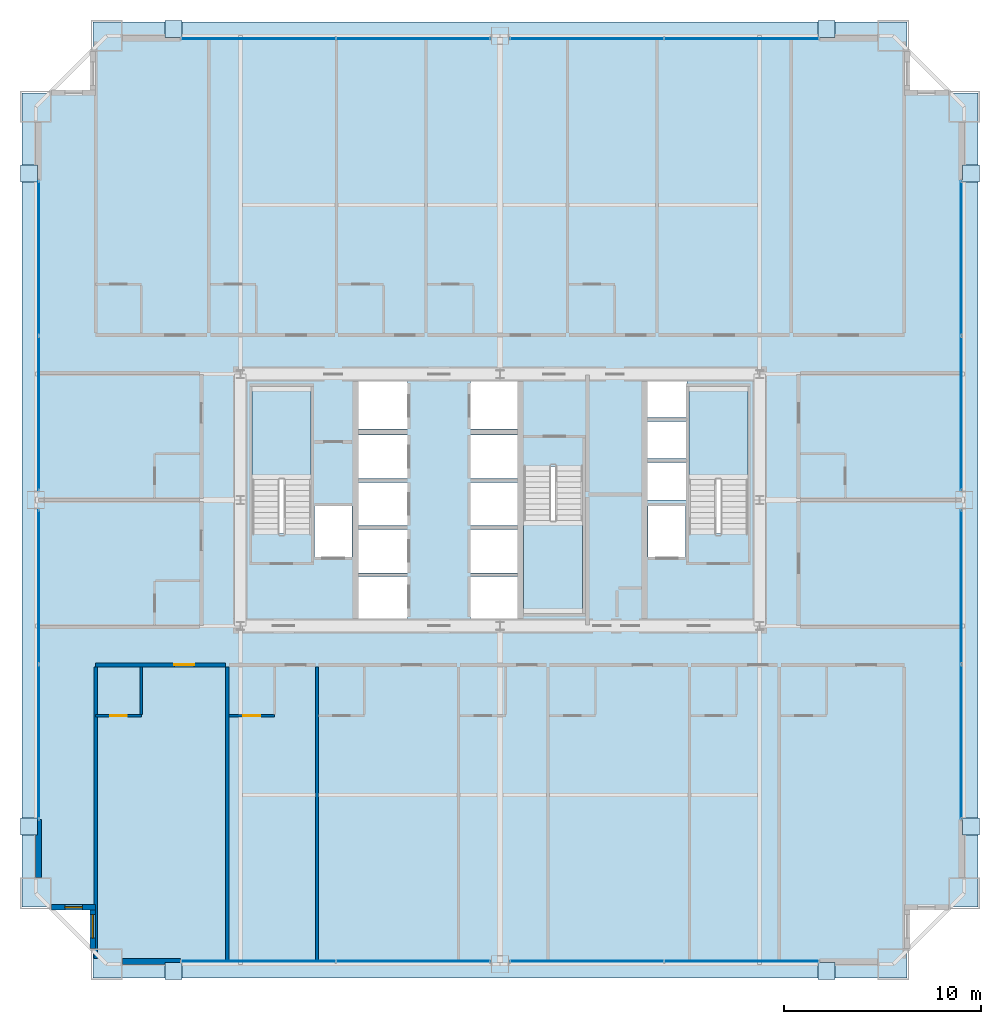
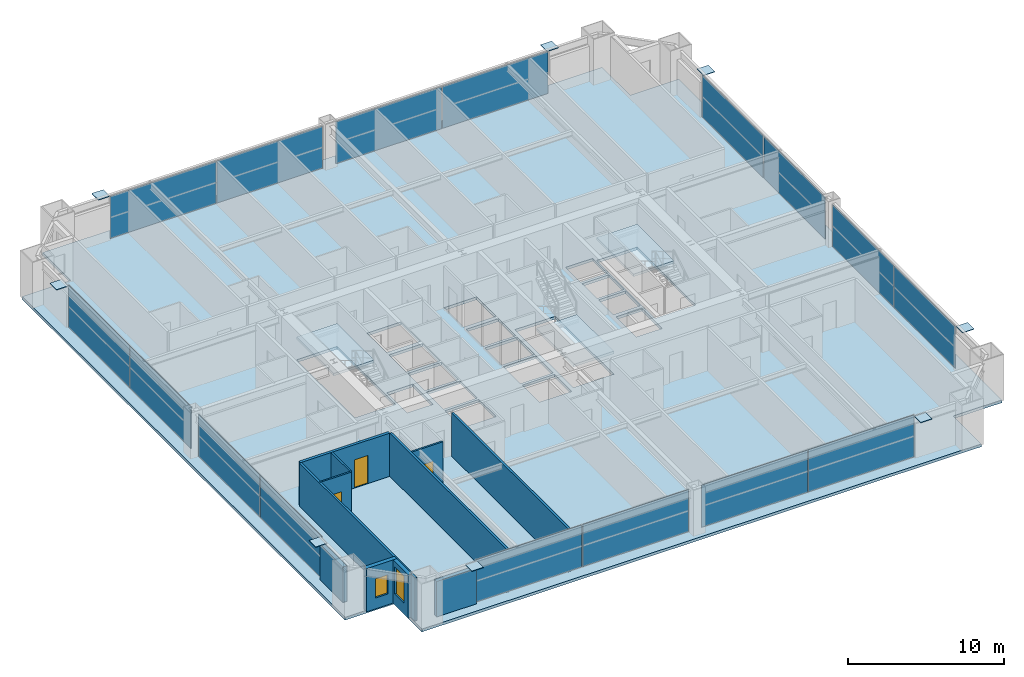
# One storey, part 33 of 38: 24 plates, 11 walls, 4 slabs, 3 doors, 2 windows, 5 openings, 11 elements without a shape of their own.
"""IFC4 building model written with IfcOpenShell, lengths in metres."""

from ifc_helpers import new_model, si_unit, direction, frame, frame_2d, origin, origin_2d, place, context, subcontext, project, spatial, polyline, rectangle, outline, extrude, source, transform, mapped, material, layer, layer_set, type_object, element, fill, aggregate, save


model = new_model("IFC4")

# Units and contexts
model_context = context("Model", 3, precision=1e-05, world=origin(), true_north=direction((0.0, 1.0)))
body_context = subcontext(model_context, "Body", "Model", "MODEL_VIEW")
ifc_project = project(units=[si_unit("LENGTHUNIT", "METRE"), si_unit("AREAUNIT", "SQUARE_METRE"), si_unit("VOLUMEUNIT", "CUBIC_METRE"), si_unit("PLANEANGLEUNIT", "RADIAN"), si_unit("MASSUNIT", "GRAM", prefix="KILO"), si_unit("THERMODYNAMICTEMPERATUREUNIT", "KELVIN"), si_unit("POWERUNIT", "WATT")], contexts=[model_context])

# Site, building, storey
site_placement = place(None, origin())
site = spatial("IfcSite", under=ifc_project, at=site_placement, CompositionType="ELEMENT")
building_placement = place(site_placement, origin())
building = spatial("IfcBuilding", under=site, at=building_placement, Name="Yuzanri Waterfront Tower", CompositionType="ELEMENT")
storey_placement = place(building_placement, frame((0.0, 0.0, 97.39990234375)))
storey = spatial("IfcBuildingStorey", under=building, at=storey_placement, Name="L25", CompositionType="ELEMENT", Elevation=97.39990234375)

# Stair, slab
ifc_material_1 = material(Name="Concrete C40", Category="concrete")
stair_type = type_object("IfcStairType", Name="Concrete C40 Core Dogleg Exit Stair", PredefinedType="HALF_TURN_STAIR", material=ifc_material_1)
stair_1_placement = place(storey_placement, origin())
stair_1 = element("IfcStair", 1, at=stair_1_placement, inside=storey, type_object=stair_type, Name="L25 Smoke-Proof Core Stair ST-01", PredefinedType="HALF_TURN_STAIR")
ifc_material_2 = material(Name="Concrete C40", Category="concrete")
ifc_layer_1 = layer(ifc_material_2, 0.179931640625)
ifc_layer_set_1 = layer_set([ifc_layer_1], Name="Concrete C40")
slab_type_1 = type_object("IfcSlabType", Name="Concrete C40 Stair Half-Landing Slab 180", PredefinedType="LANDING", material=ifc_layer_set_1)
slab_1_placement = place(storey_placement, frame((0.0, 0.0, 1.60009765625)))
slab_1 = element("IfcSlab", 2, at=slab_1_placement, type_object=slab_type_1, Name="ST-01 landing 1", PredefinedType="LANDING", context=body_context, shape_type="SweptSolid", body=[
    extrude(outline(polyline([(27.39990234375, 26.840087890625), (27.39990234375, 31.580078125), (24.39990234375, 31.580078125), (24.39990234375, 26.840087890625), (27.39990234375, 26.840087890625)])), origin(), (0.0, 0.0, 1.0), 0.199951171875),
])
aggregate(stair_1, [slab_1])

stair_2_placement = place(storey_placement, origin())
stair_2 = element("IfcStair", 3, at=stair_2_placement, inside=storey, type_object=stair_type, Name="L25 Smoke-Proof Core Stair ST-02", PredefinedType="HALF_TURN_STAIR")
slab_2_placement = place(storey_placement, frame((0.0, 0.0, 1.60009765625)))
slab_2 = element("IfcSlab", 4, at=slab_2_placement, type_object=slab_type_1, Name="ST-02 landing 1", PredefinedType="LANDING", context=body_context, shape_type="SweptSolid", body=[
    extrude(outline(polyline([(49.60009765625, 26.840087890625), (49.60009765625, 31.580078125), (46.60009765625, 31.580078125), (46.60009765625, 26.840087890625), (49.60009765625, 26.840087890625)])), origin(), (0.0, 0.0, 1.0), 0.199951171875),
])
aggregate(stair_2, [slab_2])

stair_3_placement = place(storey_placement, origin())
stair_3 = element("IfcStair", 5, at=stair_3_placement, inside=storey, type_object=stair_type, Name="L25 Smoke-Proof Core Stair ST-03", PredefinedType="HALF_TURN_STAIR")
slab_3_placement = place(storey_placement, frame((0.0, 0.0, 1.60009765625)))
slab_3 = element("IfcSlab", 6, at=slab_3_placement, type_object=slab_type_1, Name="ST-03 landing 1", PredefinedType="LANDING", context=body_context, shape_type="SweptSolid", body=[
    extrude(outline(polyline([(38.199951171875, 24.760009765625), (38.199951171875, 20.02001953125), (41.199951171875, 20.02001953125), (41.199951171875, 24.760009765625), (38.199951171875, 24.760009765625)])), origin(), (0.0, 0.0, 1.0), 0.199951171875),
])
aggregate(stair_3, [slab_3])

# Slab
ifc_material_3 = material(Name="Concrete C40", Category="concrete")
ifc_layer_2 = layer(ifc_material_3, 0.219970703125)
ifc_layer_set_2 = layer_set([ifc_layer_2], Name="Concrete C40")
slab_type_2 = type_object("IfcSlabType", Name="Concrete C40 Tower Typical Structural Floor Slab 220", PredefinedType="FLOOR", material=ifc_layer_set_2)
slab_4_placement = place(storey_placement, frame((0.0, 0.0, -0.219970703125)))
element("IfcSlab", 7, at=slab_4_placement, inside=storey, type_object=slab_type_2, Name="L25 Main Structural Floor Slab", PredefinedType="FLOOR", context=body_context, shape_type="SweptSolid", body=[
    extrude(outline(polyline([(16.300048828125, 1.5), (57.699951171875, 1.5), (57.699951171875, 5.10009765625), (61.300048828125, 5.10009765625), (61.300048828125, 46.5), (57.699951171875, 46.5), (57.699951171875, 50.10009765625), (16.300048828125, 50.10009765625), (16.300048828125, 46.5), (12.699951171875, 46.5), (12.699951171875, 5.10009765625), (16.300048828125, 5.10009765625), (16.300048828125, 1.5)]), holes=[polyline([(27.39990234375, 24.10009765625), (27.39990234375, 31.580078125), (24.39990234375, 31.580078125), (24.39990234375, 24.10009765625), (27.39990234375, 24.10009765625)]), polyline([(49.60009765625, 24.10009765625), (49.60009765625, 31.580078125), (46.60009765625, 31.580078125), (46.60009765625, 24.10009765625), (49.60009765625, 24.10009765625)]), polyline([(38.199951171875, 27.5), (38.199951171875, 20.02001953125), (41.199951171875, 20.02001953125), (41.199951171875, 27.5), (38.199951171875, 27.5)]), polyline([(27.56005859375, 22.89990234375), (29.47998046875, 22.89990234375), (29.47998046875, 25.5), (27.56005859375, 25.5), (27.56005859375, 22.89990234375)]), polyline([(44.52001953125, 22.89990234375), (46.43994140625, 22.89990234375), (46.43994140625, 25.5), (44.52001953125, 25.5), (44.52001953125, 22.89990234375)]), polyline([(29.800048828125, 19.699951171875), (32.300048828125, 19.699951171875), (32.300048828125, 21.89990234375), (29.800048828125, 21.89990234375), (29.800048828125, 19.699951171875)]), polyline([(29.800048828125, 22.10009765625), (32.300048828125, 22.10009765625), (32.300048828125, 24.300048828125), (29.800048828125, 24.300048828125), (29.800048828125, 22.10009765625)]), polyline([(29.800048828125, 24.5), (32.300048828125, 24.5), (32.300048828125, 26.699951171875), (29.800048828125, 26.699951171875), (29.800048828125, 24.5)]), polyline([(29.800048828125, 26.89990234375), (32.300048828125, 26.89990234375), (32.300048828125, 29.10009765625), (29.800048828125, 29.10009765625), (29.800048828125, 26.89990234375)]), polyline([(29.800048828125, 29.39990234375), (32.300048828125, 29.39990234375), (32.300048828125, 31.89990234375), (29.800048828125, 31.89990234375), (29.800048828125, 29.39990234375)]), polyline([(35.5, 19.699951171875), (37.89990234375, 19.699951171875), (37.89990234375, 21.89990234375), (35.5, 21.89990234375), (35.5, 19.699951171875)]), polyline([(35.5, 22.10009765625), (37.89990234375, 22.10009765625), (37.89990234375, 24.300048828125), (35.5, 24.300048828125), (35.5, 22.10009765625)]), polyline([(35.5, 24.5), (37.89990234375, 24.5), (37.89990234375, 26.699951171875), (35.5, 26.699951171875), (35.5, 24.5)]), polyline([(35.5, 26.89990234375), (37.89990234375, 26.89990234375), (37.89990234375, 29.10009765625), (35.5, 29.10009765625), (35.5, 26.89990234375)]), polyline([(35.5, 29.39990234375), (37.89990234375, 29.39990234375), (37.89990234375, 31.89990234375), (35.5, 31.89990234375), (35.5, 29.39990234375)]), polyline([(44.5, 25.800048828125), (46.5, 25.800048828125), (46.5, 27.699951171875), (44.5, 27.699951171875), (44.5, 25.800048828125)]), polyline([(44.5, 27.89990234375), (46.5, 27.89990234375), (46.5, 29.800048828125), (44.5, 29.800048828125), (44.5, 27.89990234375)]), polyline([(44.5, 30.0), (46.5, 30.0), (46.5, 31.89990234375), (44.5, 31.89990234375), (44.5, 30.0)])]), origin(), (0.0, 0.0, 1.0), 0.219970703125),
])

# Plates
ifc_material_4 = material(Name="Steel Q420GJC", Category="steel")
ifc_layer_3 = layer(ifc_material_4, 0.0400390625)
ifc_layer_set_3 = layer_set([ifc_layer_3], Name="Steel Q420GJC")
plate_type_1 = type_object("IfcPlateType", Name="Steel Q420GJC Mega-Brace Gusset and End-Cap Plate 40", PredefinedType="SHEET", material=ifc_layer_set_3)
shared_shape_1 = source(origin(), body_context, "Body", "SweptSolid", [
    extrude(rectangle(XDim=0.85009765625, YDim=0.85009765625, at=origin_2d()), origin(), (0.0, 0.0, 1.0), 0.0400390625),
])
for number, where, z_axis, x_axis, name in (
    (8, (20.39990234375, 1.860107421875, 3.260009765625), (0.0, 0.0, 1.0), (1.0, 0.0, 0.0), "L25 Mega-Brace Apex Cap Plate S-L"),
    (9, (53.60009765625, 1.860107421875, 3.260009765625), (0.0, 0.0, 1.0), (1.0, 0.0, 0.0), "L25 Mega-Brace Apex Cap Plate S-R"),
    (10, (20.39990234375, 49.739990234375, 3.260009765625), (0.0, 0.0, 1.0), (1.0, 0.0, 0.0), "L25 Mega-Brace Apex Cap Plate N-L"),
    (11, (53.60009765625, 49.739990234375, 3.260009765625), (0.0, 0.0, 1.0), (1.0, 0.0, 0.0), "L25 Mega-Brace Apex Cap Plate N-R"),
    (12, (13.06005859375, 9.199951171875, 3.260009765625), (0.0, 0.0, 1.0), (1.0, 0.0, 0.0), "L25 Mega-Brace Apex Cap Plate W-L"),
    (13, (13.06005859375, 42.39990234375, 3.260009765625), (0.0, 0.0, 1.0), (1.0, 0.0, 0.0), "L25 Mega-Brace Apex Cap Plate W-R"),
    (14, (60.93994140625, 9.199951171875, 3.260009765625), (0.0, 0.0, 1.0), (1.0, 0.0, 0.0), "L25 Mega-Brace Apex Cap Plate E-L"),
    (15, (60.93994140625, 42.39990234375, 3.260009765625), (0.0, 0.0, 1.0), (1.0, 0.0, 0.0), "L25 Mega-Brace Apex Cap Plate E-R"),
):
    element("IfcPlate", number, at=place(storey_placement, frame(where, z_axis=z_axis, x_axis=x_axis)), inside=storey, type_object=plate_type_1, Name=name, PredefinedType="SHEET", context=body_context, shape_type="MappedRepresentation", body=[
        mapped(shared_shape_1, transform((0.0, 0.0, 0.0), scale=1.0)),
    ])

# Curtain wall, plates
ifc_material_5 = material(Name="Anodized Architectural Bronze", Category="metal")
ifc_layer_4 = layer(ifc_material_5, 0.159912109375)
ifc_layer_set_4 = layer_set([ifc_layer_4], Name="Anodized Architectural Bronze")
curtain_wall_type = type_object("IfcCurtainWallType", Name="Anodized Bronze Hotel Upper-Tier Solar-Control Unitized Curtain Wall 7800", PredefinedType="NOTDEFINED", material=ifc_layer_set_4)
curtain_wall_1_placement = place(storey_placement, origin())
curtain_wall_1 = element("IfcCurtainWall", 16, at=curtain_wall_1_placement, inside=storey, type_object=curtain_wall_type, Name="L25 Curtain Wall CW-L25-SL", PredefinedType="NOTDEFINED")
ifc_material_6 = material(Name="Double-Silver Low-E Insulated Glass", Category="glass")
ifc_layer_5 = layer(ifc_material_6, 0.035888671875)
ifc_layer_set_5 = layer_set([ifc_layer_5], Name="Double-Silver Low-E Insulated Glass")
plate_type_2 = type_object("IfcPlateType", Name="Double Silver Low-E Insulated Vision Glass Panel 36", PredefinedType="CURTAIN_PANEL", material=ifc_layer_set_5)
shared_shape_2 = source(origin(), body_context, "Body", "SweptSolid", [
    extrude(rectangle(XDim=7.820068359375, YDim=0.035888671875, at=origin_2d()), origin(), (0.0, 0.0, 1.0), 3.280029296875),
])
plate_1_placement = place(storey_placement, frame((24.699951171875, 2.35009765625, 0.05029296875), z_axis=(0.0, 0.0, 1.0), x_axis=(1.0, 0.0, 0.0)))
plate_1 = element("IfcPlate", 17, at=plate_1_placement, type_object=plate_type_2, Name="CW-L25-SL Vision Glass Panel 01", PredefinedType="CURTAIN_PANEL", context=body_context, shape_type="MappedRepresentation", body=[
    mapped(shared_shape_2, transform((0.0, 0.0, 0.0), scale=1.0)),
])
plate_2_placement = place(storey_placement, frame((32.60009765625, 2.35009765625, 0.05029296875), z_axis=(0.0, 0.0, 1.0), x_axis=(1.0, 0.0, 0.0)))
plate_2 = element("IfcPlate", 18, at=plate_2_placement, type_object=plate_type_2, Name="CW-L25-SL Vision Glass Panel 02", PredefinedType="CURTAIN_PANEL", context=body_context, shape_type="MappedRepresentation", body=[
    mapped(shared_shape_2, transform((0.0, 0.0, 0.0), scale=1.0)),
])
aggregate(curtain_wall_1, [plate_1, plate_2])

curtain_wall_2_placement = place(storey_placement, origin())
curtain_wall_2 = element("IfcCurtainWall", 19, at=curtain_wall_2_placement, inside=storey, type_object=curtain_wall_type, Name="L25 Curtain Wall CW-L25-SR", PredefinedType="NOTDEFINED")
plate_3_placement = place(storey_placement, frame((41.39990234375, 2.35009765625, 0.05029296875), z_axis=(0.0, 0.0, 1.0), x_axis=(1.0, 0.0, 0.0)))
plate_3 = element("IfcPlate", 20, at=plate_3_placement, type_object=plate_type_2, Name="CW-L25-SR Vision Glass Panel 01", PredefinedType="CURTAIN_PANEL", context=body_context, shape_type="MappedRepresentation", body=[
    mapped(shared_shape_2, transform((0.0, 0.0, 0.0), scale=1.0)),
])
plate_4_placement = place(storey_placement, frame((49.300048828125, 2.35009765625, 0.05029296875), z_axis=(0.0, 0.0, 1.0), x_axis=(1.0, 0.0, 0.0)))
plate_4 = element("IfcPlate", 21, at=plate_4_placement, type_object=plate_type_2, Name="CW-L25-SR Vision Glass Panel 02", PredefinedType="CURTAIN_PANEL", context=body_context, shape_type="MappedRepresentation", body=[
    mapped(shared_shape_2, transform((0.0, 0.0, 0.0), scale=1.0)),
])
aggregate(curtain_wall_2, [plate_3, plate_4])

curtain_wall_3_placement = place(storey_placement, origin())
curtain_wall_3 = element("IfcCurtainWall", 22, at=curtain_wall_3_placement, inside=storey, type_object=curtain_wall_type, Name="L25 Curtain Wall CW-L25-NL", PredefinedType="NOTDEFINED")
plate_5_placement = place(storey_placement, frame((24.699951171875, 49.25, 0.05029296875), z_axis=(0.0, 0.0, 1.0), x_axis=(1.0, 0.0, 0.0)))
plate_5 = element("IfcPlate", 23, at=plate_5_placement, type_object=plate_type_2, Name="CW-L25-NL Vision Glass Panel 01", PredefinedType="CURTAIN_PANEL", context=body_context, shape_type="MappedRepresentation", body=[
    mapped(shared_shape_2, transform((0.0, 0.0, 0.0), scale=1.0)),
])
plate_6_placement = place(storey_placement, frame((32.60009765625, 49.25, 0.05029296875), z_axis=(0.0, 0.0, 1.0), x_axis=(1.0, 0.0, 0.0)))
plate_6 = element("IfcPlate", 24, at=plate_6_placement, type_object=plate_type_2, Name="CW-L25-NL Vision Glass Panel 02", PredefinedType="CURTAIN_PANEL", context=body_context, shape_type="MappedRepresentation", body=[
    mapped(shared_shape_2, transform((0.0, 0.0, 0.0), scale=1.0)),
])
aggregate(curtain_wall_3, [plate_5, plate_6])

curtain_wall_4_placement = place(storey_placement, origin())
curtain_wall_4 = element("IfcCurtainWall", 25, at=curtain_wall_4_placement, inside=storey, type_object=curtain_wall_type, Name="L25 Curtain Wall CW-L25-NR", PredefinedType="NOTDEFINED")
plate_7_placement = place(storey_placement, frame((41.39990234375, 49.25, 0.05029296875), z_axis=(0.0, 0.0, 1.0), x_axis=(1.0, 0.0, 0.0)))
plate_7 = element("IfcPlate", 26, at=plate_7_placement, type_object=plate_type_2, Name="CW-L25-NR Vision Glass Panel 01", PredefinedType="CURTAIN_PANEL", context=body_context, shape_type="MappedRepresentation", body=[
    mapped(shared_shape_2, transform((0.0, 0.0, 0.0), scale=1.0)),
])
plate_8_placement = place(storey_placement, frame((49.300048828125, 49.25, 0.05029296875), z_axis=(0.0, 0.0, 1.0), x_axis=(1.0, 0.0, 0.0)))
plate_8 = element("IfcPlate", 27, at=plate_8_placement, type_object=plate_type_2, Name="CW-L25-NR Vision Glass Panel 02", PredefinedType="CURTAIN_PANEL", context=body_context, shape_type="MappedRepresentation", body=[
    mapped(shared_shape_2, transform((0.0, 0.0, 0.0), scale=1.0)),
])
aggregate(curtain_wall_4, [plate_7, plate_8])

curtain_wall_5_placement = place(storey_placement, origin())
curtain_wall_5 = element("IfcCurtainWall", 28, at=curtain_wall_5_placement, inside=storey, type_object=curtain_wall_type, Name="L25 Curtain Wall CW-L25-WL", PredefinedType="NOTDEFINED")
plate_9_placement = place(storey_placement, frame((13.550048828125, 13.5, 0.05029296875), z_axis=(0.0, 0.0, 1.0), x_axis=(0.0, 1.0, 0.0)))
plate_9 = element("IfcPlate", 29, at=plate_9_placement, type_object=plate_type_2, Name="CW-L25-WL Vision Glass Panel 01", PredefinedType="CURTAIN_PANEL", context=body_context, shape_type="MappedRepresentation", body=[
    mapped(shared_shape_2, transform((0.0, 0.0, 0.0), scale=1.0)),
])
plate_10_placement = place(storey_placement, frame((13.550048828125, 21.39990234375, 0.05029296875), z_axis=(0.0, 0.0, 1.0), x_axis=(0.0, 1.0, 0.0)))
plate_10 = element("IfcPlate", 30, at=plate_10_placement, type_object=plate_type_2, Name="CW-L25-WL Vision Glass Panel 02", PredefinedType="CURTAIN_PANEL", context=body_context, shape_type="MappedRepresentation", body=[
    mapped(shared_shape_2, transform((0.0, 0.0, 0.0), scale=1.0)),
])
aggregate(curtain_wall_5, [plate_9, plate_10])

curtain_wall_6_placement = place(storey_placement, origin())
curtain_wall_6 = element("IfcCurtainWall", 31, at=curtain_wall_6_placement, inside=storey, type_object=curtain_wall_type, Name="L25 Curtain Wall CW-L25-WR", PredefinedType="NOTDEFINED")
plate_11_placement = place(storey_placement, frame((13.550048828125, 30.199951171875, 0.05029296875), z_axis=(0.0, 0.0, 1.0), x_axis=(0.0, 1.0, 0.0)))
plate_11 = element("IfcPlate", 32, at=plate_11_placement, type_object=plate_type_2, Name="CW-L25-WR Vision Glass Panel 01", PredefinedType="CURTAIN_PANEL", context=body_context, shape_type="MappedRepresentation", body=[
    mapped(shared_shape_2, transform((0.0, 0.0, 0.0), scale=1.0)),
])
plate_12_placement = place(storey_placement, frame((13.550048828125, 38.10009765625, 0.05029296875), z_axis=(0.0, 0.0, 1.0), x_axis=(0.0, 1.0, 0.0)))
plate_12 = element("IfcPlate", 33, at=plate_12_placement, type_object=plate_type_2, Name="CW-L25-WR Vision Glass Panel 02", PredefinedType="CURTAIN_PANEL", context=body_context, shape_type="MappedRepresentation", body=[
    mapped(shared_shape_2, transform((0.0, 0.0, 0.0), scale=1.0)),
])
aggregate(curtain_wall_6, [plate_11, plate_12])

curtain_wall_7_placement = place(storey_placement, origin())
curtain_wall_7 = element("IfcCurtainWall", 34, at=curtain_wall_7_placement, inside=storey, type_object=curtain_wall_type, Name="L25 Curtain Wall CW-L25-EL", PredefinedType="NOTDEFINED")
plate_13_placement = place(storey_placement, frame((60.449951171875, 13.5, 0.05029296875), z_axis=(0.0, 0.0, 1.0), x_axis=(0.0, 1.0, 0.0)))
plate_13 = element("IfcPlate", 35, at=plate_13_placement, type_object=plate_type_2, Name="CW-L25-EL Vision Glass Panel 01", PredefinedType="CURTAIN_PANEL", context=body_context, shape_type="MappedRepresentation", body=[
    mapped(shared_shape_2, transform((0.0, 0.0, 0.0), scale=1.0)),
])
plate_14_placement = place(storey_placement, frame((60.449951171875, 21.39990234375, 0.05029296875), z_axis=(0.0, 0.0, 1.0), x_axis=(0.0, 1.0, 0.0)))
plate_14 = element("IfcPlate", 36, at=plate_14_placement, type_object=plate_type_2, Name="CW-L25-EL Vision Glass Panel 02", PredefinedType="CURTAIN_PANEL", context=body_context, shape_type="MappedRepresentation", body=[
    mapped(shared_shape_2, transform((0.0, 0.0, 0.0), scale=1.0)),
])
aggregate(curtain_wall_7, [plate_13, plate_14])

curtain_wall_8_placement = place(storey_placement, origin())
curtain_wall_8 = element("IfcCurtainWall", 37, at=curtain_wall_8_placement, inside=storey, type_object=curtain_wall_type, Name="L25 Curtain Wall CW-L25-ER", PredefinedType="NOTDEFINED")
plate_15_placement = place(storey_placement, frame((60.449951171875, 30.199951171875, 0.05029296875), z_axis=(0.0, 0.0, 1.0), x_axis=(0.0, 1.0, 0.0)))
plate_15 = element("IfcPlate", 38, at=plate_15_placement, type_object=plate_type_2, Name="CW-L25-ER Vision Glass Panel 01", PredefinedType="CURTAIN_PANEL", context=body_context, shape_type="MappedRepresentation", body=[
    mapped(shared_shape_2, transform((0.0, 0.0, 0.0), scale=1.0)),
])
plate_16_placement = place(storey_placement, frame((60.449951171875, 38.10009765625, 0.05029296875), z_axis=(0.0, 0.0, 1.0), x_axis=(0.0, 1.0, 0.0)))
plate_16 = element("IfcPlate", 39, at=plate_16_placement, type_object=plate_type_2, Name="CW-L25-ER Vision Glass Panel 02", PredefinedType="CURTAIN_PANEL", context=body_context, shape_type="MappedRepresentation", body=[
    mapped(shared_shape_2, transform((0.0, 0.0, 0.0), scale=1.0)),
])
aggregate(curtain_wall_8, [plate_15, plate_16])

# Wall, opening, door
ifc_material_7 = material(Name="Moisture-Resistant Gypsum Stud Wall", Category="gypsum")
ifc_layer_6 = layer(ifc_material_7, 0.1201171875)
ifc_layer_set_6 = layer_set([ifc_layer_6], Name="Moisture-Resistant Gypsum Stud Wall")
wall_type_1 = type_object("IfcWallType", Name="Bathroom and Kitchen Wet Partition 120", PredefinedType="PARTITIONING", material=ifc_layer_set_6)
wall_1_placement = place(storey_placement, frame((16.43994140625, 14.840087890625, 0.0), z_axis=(0.0, 0.0, 1.0), x_axis=(1.0, 0.0, 0.0)))
wall_1 = element("IfcWall", 40, at=wall_1_placement, inside=storey, type_object=wall_type_1, Name="L25 Partition UW-L25-S1-BS", PredefinedType="PARTITIONING", context=body_context, shape_type="SweptSolid", body=[
    extrude(rectangle(XDim=2.330078125, YDim=0.1201171875, at=frame_2d((1.1650390625, 0.0))), origin(), (0.0, 0.0, 1.0), 3.380126953125),
])
opening_1_placement = place(wall_1_placement, frame((0.739990234375, 0.0, 0.0)))
opening_1 = element("IfcOpeningElement", 41, at=opening_1_placement, cuts=wall_1, Name="Opening ID-0850", PredefinedType="OPENING", context=body_context, shape_type="SweptSolid", body=[
    extrude(rectangle(XDim=0.85009765625, YDim=2.10009765625, at=frame_2d((0.425048828125, 1.050048828125))), frame((0.0, 0.074951171875, 0.0), z_axis=(0.0, -1.0, 0.0), x_axis=(1.0, 0.0, 0.0)), (0.0, 0.0, 1.0), 0.14990234375),
])
ifc_material_8 = material(Name="Moisture-Resistant Lacquered Timber", Category="wood")
door_type_1 = type_object("IfcDoorType", Name="En-Suite Bathroom and Kitchen Swing Door 850x2100", OperationType="NOTDEFINED", PredefinedType="DOOR", material=ifc_material_8)
shared_shape_3 = source(origin(), body_context, "Body", "SweptSolid", [
    extrude(rectangle(XDim=0.85009765625, YDim=2.10009765625, at=frame_2d((0.425048828125, 1.050048828125))), frame((0.0, 0.02490234375, 0.0), z_axis=(0.0, -1.0, 0.0), x_axis=(1.0, 0.0, 0.0)), (0.0, 0.0, 1.0), 0.050048828125),
])
door_1_placement = place(opening_1_placement, origin())
door_1 = element("IfcDoor", 42, at=door_1_placement, inside=storey, type_object=door_type_1, Name="L25 Guest En-Suite Door", OperationType="SINGLE_SWING_LEFT", OverallHeight=2.10009765625, OverallWidth=0.85009765625, PredefinedType="DOOR", context=body_context, shape_type="MappedRepresentation", body=[
    mapped(shared_shape_3, transform((0.0, 0.0, 0.0), scale=1.0)),
])
fill(opening_1, door_1)

wall_2_placement = place(storey_placement, frame((23.217041015625, 14.840087890625, 0.0), z_axis=(0.0, 0.0, 1.0), x_axis=(1.0, 0.0, 0.0)))
wall_2 = element("IfcWall", 43, at=wall_2_placement, inside=storey, type_object=wall_type_1, Name="L25 Partition UW-L25-S2-BS", PredefinedType="PARTITIONING", context=body_context, shape_type="SweptSolid", body=[
    extrude(rectangle(XDim=2.327880859375, YDim=0.1201171875, at=frame_2d((1.1640625, 0.0))), origin(), (0.0, 0.0, 1.0), 3.380126953125),
])
opening_2_placement = place(wall_2_placement, frame((0.739013671875, 0.0, 0.0)))
opening_2 = element("IfcOpeningElement", 44, at=opening_2_placement, cuts=wall_2, Name="Opening ID-0850", PredefinedType="OPENING", context=body_context, shape_type="SweptSolid", body=[
    extrude(rectangle(XDim=0.85009765625, YDim=2.10009765625, at=frame_2d((0.425048828125, 1.050048828125))), frame((0.0, 0.074951171875, 0.0), z_axis=(0.0, -1.0, 0.0), x_axis=(1.0, 0.0, 0.0)), (0.0, 0.0, 1.0), 0.14990234375),
])
door_2_placement = place(opening_2_placement, origin())
door_2 = element("IfcDoor", 45, at=door_2_placement, inside=storey, type_object=door_type_1, Name="L25 Guest En-Suite Door", OperationType="SINGLE_SWING_LEFT", OverallHeight=2.10009765625, OverallWidth=0.85009765625, PredefinedType="DOOR", context=body_context, shape_type="MappedRepresentation", body=[
    mapped(shared_shape_3, transform((0.0, 0.0, 0.0), scale=1.0)),
])
fill(opening_2, door_2)

# Wall, opening, window
ifc_material_9 = material(Name="Honed Chongqing Dark Basalt Stone", Category="masonry")
ifc_layer_7 = layer(ifc_material_9, 0.300048828125)
ifc_layer_set_7 = layer_set([ifc_layer_7], Name="Honed Chongqing Dark Basalt Stone")
wall_type_2 = type_object("IfcWallType", Name="Bronze Rainscreen Insulated Spandrel Portal Wall 300", PredefinedType="SOLIDWALL", material=ifc_layer_set_7)
wall_3_placement = place(storey_placement, frame((14.199951171875, 5.10009765625, 0.0), z_axis=(0.0, 0.0, 1.0), x_axis=(1.0, 0.0, 0.0)))
wall_3 = element("IfcWall", 46, at=wall_3_placement, inside=storey, type_object=wall_type_2, Name="L25 Notched Corner Masonry Wall SW-X", PredefinedType="SOLIDWALL", context=body_context, shape_type="SweptSolid", body=[
    extrude(rectangle(XDim=2.25, YDim=0.300048828125, at=frame_2d((1.125, 0.0))), origin(), (0.0, 0.0, 1.0), 3.380126953125),
])
opening_3_placement = place(wall_3_placement, frame((0.675048828125, 0.0, 0.85009765625)))
opening_3 = element("IfcOpeningElement", 47, at=opening_3_placement, cuts=wall_3, Name="Opening WN-05", PredefinedType="OPENING", context=body_context, shape_type="SweptSolid", body=[
    extrude(rectangle(XDim=0.89990234375, YDim=1.5, at=frame_2d((0.449951171875, 0.75))), frame((0.0, 0.1650390625, 0.0), z_axis=(0.0, -1.0, 0.0), x_axis=(1.0, 0.0, 0.0)), (0.0, 0.0, 1.0), 0.329833984375),
])
ifc_material_10 = material(Name="Double-Silver Low-E Insulated Glass", Category="glass")
window_type_1 = type_object("IfcWindowType", Name="Anodized Bronze Service and Stairwell Smoke-Vent Window 900x1500", PartitioningType="SINGLE_PANEL", PredefinedType="WINDOW", material=ifc_material_10)
shared_shape_4 = source(origin(), body_context, "Body", "SweptSolid", [
    extrude(rectangle(XDim=0.89990234375, YDim=1.5, at=frame_2d((0.449951171875, 0.75))), frame((0.0, 0.030029296875, 0.0), z_axis=(0.0, -1.0, 0.0), x_axis=(1.0, 0.0, 0.0)), (0.0, 0.0, 1.0), 0.06005859375),
])
window_1_placement = place(opening_3_placement, origin())
window_1 = element("IfcWindow", 48, at=window_1_placement, inside=storey, type_object=window_type_1, Name="L25 Notched Corner Window SW-X", OverallHeight=1.5, OverallWidth=0.89990234375, PartitioningType="SINGLE_PANEL", PredefinedType="WINDOW", context=body_context, shape_type="MappedRepresentation", body=[
    mapped(shared_shape_4, transform((0.0, 0.0, 0.0), scale=1.0)),
])
fill(opening_3, window_1)

wall_4_placement = place(storey_placement, frame((16.300048828125, 5.25, 0.0), z_axis=(0.0, 0.0, 1.0), x_axis=(0.0, -1.0, 0.0)))
wall_4 = element("IfcWall", 49, at=wall_4_placement, inside=storey, type_object=wall_type_2, Name="L25 Notched Corner Masonry Wall SW-Y", PredefinedType="SOLIDWALL", context=body_context, shape_type="SweptSolid", body=[
    extrude(rectangle(XDim=2.25, YDim=0.300048828125, at=frame_2d((1.125, 0.0))), origin(), (0.0, 0.0, 1.0), 3.380126953125),
])
opening_4_placement = place(wall_4_placement, frame((0.52490234375, 0.0, 0.85009765625)))
opening_4 = element("IfcOpeningElement", 50, at=opening_4_placement, cuts=wall_4, Name="Opening WN-02", PredefinedType="OPENING", context=body_context, shape_type="SweptSolid", body=[
    extrude(rectangle(XDim=1.199951171875, YDim=2.10009765625, at=frame_2d((0.60009765625, 1.050048828125))), frame((0.0, 0.1650390625, 0.0), z_axis=(0.0, -1.0, 0.0), x_axis=(1.0, 0.0, 0.0)), (0.0, 0.0, 1.0), 0.329833984375),
])
ifc_material_11 = material(Name="Double-Silver Low-E Insulated Glass", Category="glass")
window_type_2 = type_object("IfcWindowType", Name="Anodized Bronze Notched Corner Deep-Set Slot Window 1200x2100", PartitioningType="SINGLE_PANEL", PredefinedType="WINDOW", material=ifc_material_11)
shared_shape_5 = source(origin(), body_context, "Body", "SweptSolid", [
    extrude(rectangle(XDim=1.199951171875, YDim=2.10009765625, at=frame_2d((0.60009765625, 1.050048828125))), frame((0.0, 0.030029296875, 0.0), z_axis=(0.0, -1.0, 0.0), x_axis=(1.0, 0.0, 0.0)), (0.0, 0.0, 1.0), 0.06005859375),
])
window_2_placement = place(opening_4_placement, origin())
window_2 = element("IfcWindow", 51, at=window_2_placement, inside=storey, type_object=window_type_2, Name="L25 Notched Corner Window SW-Y", OverallHeight=2.10009765625, OverallWidth=1.199951171875, PartitioningType="SINGLE_PANEL", PredefinedType="WINDOW", context=body_context, shape_type="MappedRepresentation", body=[
    mapped(shared_shape_5, transform((0.0, 0.0, 0.0), scale=1.0)),
])
fill(opening_4, window_2)

# Wall, opening, door
ifc_material_12 = material(Name="Autoclaved Aerated Concrete Blockwork", Category="masonry")
ifc_layer_8 = layer(ifc_material_12, 0.199951171875)
ifc_layer_set_8 = layer_set([ifc_layer_8], Name="Autoclaved Aerated Concrete Blockwork")
wall_type_3 = type_object("IfcWallType", Name="Corridor and Unit Party Fire Wall 200", PredefinedType="PARTITIONING", material=ifc_layer_set_8)
wall_5_placement = place(storey_placement, frame((16.43994140625, 17.419921875, 0.0), z_axis=(0.0, 0.0, 1.0), x_axis=(1.0, 0.0, 0.0)))
wall_5 = element("IfcWall", 52, at=wall_5_placement, inside=storey, type_object=wall_type_3, Name="L25 Partition UW-L25-S1-CN", PredefinedType="PARTITIONING", context=body_context, shape_type="SweptSolid", body=[
    extrude(rectangle(XDim=6.616943359375, YDim=0.199951171875, at=frame_2d((3.30859375, 0.0))), origin(), (0.0, 0.0, 1.0), 3.380126953125),
])
opening_5_placement = place(wall_5_placement, frame((4.012939453125, 0.0, 0.0)))
opening_5 = element("IfcOpeningElement", 53, at=opening_5_placement, cuts=wall_5, Name="Opening FD-1000", PredefinedType="OPENING", context=body_context, shape_type="SweptSolid", body=[
    extrude(rectangle(XDim=1.0, YDim=2.199951171875, at=frame_2d((0.5, 1.10009765625))), frame((0.0, 0.11474609375, 0.0), z_axis=(0.0, -1.0, 0.0), x_axis=(1.0, 0.0, 0.0)), (0.0, 0.0, 1.0), 0.229736328125),
])
ifc_material_13 = material(Name="Engineered Oak Fire-Rated Timber", Category="wood")
door_type_2 = type_object("IfcDoorType", Name="Guestroom and Apartment Entrance Fire Door 1000x2200", OperationType="NOTDEFINED", PredefinedType="DOOR", material=ifc_material_13)
shared_shape_6 = source(origin(), body_context, "Body", "SweptSolid", [
    extrude(rectangle(XDim=1.0, YDim=2.199951171875, at=frame_2d((0.5, 1.10009765625))), frame((0.0, 0.02490234375, 0.0), z_axis=(0.0, -1.0, 0.0), x_axis=(1.0, 0.0, 0.0)), (0.0, 0.0, 1.0), 0.050048828125),
])
door_3_placement = place(opening_5_placement, origin())
door_3 = element("IfcDoor", 54, at=door_3_placement, inside=storey, type_object=door_type_2, Name="L25 Superior King Junior Suite Entrance Door", OperationType="SINGLE_SWING_RIGHT", OverallHeight=2.199951171875, OverallWidth=1.0, PredefinedType="DOOR", context=body_context, shape_type="MappedRepresentation", body=[
    mapped(shared_shape_6, transform((0.0, 0.0, 0.0), scale=1.0)),
])
fill(opening_5, door_3)

# Walls
shared_shape_7 = source(origin(), body_context, "Body", "SweptSolid", [
    extrude(rectangle(XDim=2.949951171875, YDim=0.300048828125, at=frame_2d((1.47509765625, 0.0))), origin(), (0.0, 0.0, 1.0), 2.775146484375),
])
for number, where, z_axis, x_axis, name in (
    (55, (17.800048828125, 2.35009765625, 0.0), (0.0, 0.0, 1.0), (1.0, 0.0, 0.0), "L25 S Left Braced Masonry Shoulder"),
    (56, (13.550048828125, 6.60009765625, 0.0), (0.0, 0.0, 1.0), (0.0, 1.0, 0.0), "L25 W Left Braced Masonry Shoulder"),
):
    element("IfcWall", number, at=place(storey_placement, frame(where, z_axis=z_axis, x_axis=x_axis)), inside=storey, type_object=wall_type_2, Name=name, PredefinedType="SOLIDWALL", context=body_context, shape_type="MappedRepresentation", body=[
        mapped(shared_shape_7, transform((0.0, 0.0, 0.0), scale=1.0)),
    ])
shared_shape_8 = source(origin(), body_context, "Body", "SweptSolid", [
    extrude(rectangle(XDim=2.420166015625, YDim=0.1201171875, at=frame_2d((1.2099609375, 0.0))), origin(), (0.0, 0.0, 1.0), 3.380126953125),
])
wall_6_placement = place(storey_placement, frame((18.77001953125, 14.89990234375, 0.0), z_axis=(0.0, 0.0, 1.0), x_axis=(0.0, 1.0, 0.0)))
element("IfcWall", 57, at=wall_6_placement, inside=storey, type_object=wall_type_1, Name="L25-S1 En-Suite Side Wall", PredefinedType="PARTITIONING", context=body_context, shape_type="MappedRepresentation", body=[
    mapped(shared_shape_8, transform((0.0, 0.0, 0.0), scale=1.0)),
])
ifc_material_14 = material(Name="Gypsum Fireboard Acoustic Stud Wall", Category="gypsum")
ifc_layer_9 = layer(ifc_material_14, 0.159912109375)
ifc_layer_set_9 = layer_set([ifc_layer_9], Name="Gypsum Fireboard Acoustic Stud Wall")
wall_type_4 = type_object("IfcWallType", Name="Acoustic Suite Demising Partition 160", PredefinedType="PARTITIONING", material=ifc_layer_set_9)
shared_shape_9 = source(origin(), body_context, "Body", "SweptSolid", [
    extrude(rectangle(XDim=14.969970703125, YDim=0.159912109375, at=frame_2d((7.48486328125, 0.0))), origin(), (0.0, 0.0, 1.0), 3.380126953125),
])
for number, where, z_axis, x_axis, name in (
    (58, (23.136962890625, 2.35009765625, 0.0), (0.0, 0.0, 1.0), (0.0, 1.0, 0.0), "L25-S1 Party Wall"),
    (59, (27.695068359375, 2.35009765625, 0.0), (0.0, 0.0, 1.0), (0.0, 1.0, 0.0), "L25-S2 Party Wall"),
):
    element("IfcWall", number, at=place(storey_placement, frame(where, z_axis=z_axis, x_axis=x_axis)), inside=storey, type_object=wall_type_4, Name=name, PredefinedType="PARTITIONING", context=body_context, shape_type="MappedRepresentation", body=[
        mapped(shared_shape_9, transform((0.0, 0.0, 0.0), scale=1.0)),
    ])
shared_shape_10 = source(origin(), body_context, "Body", "SweptSolid", [
    extrude(rectangle(XDim=14.820068359375, YDim=0.159912109375, at=frame_2d((7.41015625, 0.0))), origin(), (0.0, 0.0, 1.0), 3.380126953125),
])
wall_7_placement = place(storey_placement, frame((16.449951171875, 2.5, 0.0), z_axis=(0.0, 0.0, 1.0), x_axis=(0.0, 1.0, 0.0)))
element("IfcWall", 60, at=wall_7_placement, inside=storey, type_object=wall_type_4, Name="L25 South Band West End Wall", PredefinedType="PARTITIONING", context=body_context, shape_type="MappedRepresentation", body=[
    mapped(shared_shape_10, transform((0.0, 0.0, 0.0), scale=1.0)),
])

save(model, "model.ifc")
